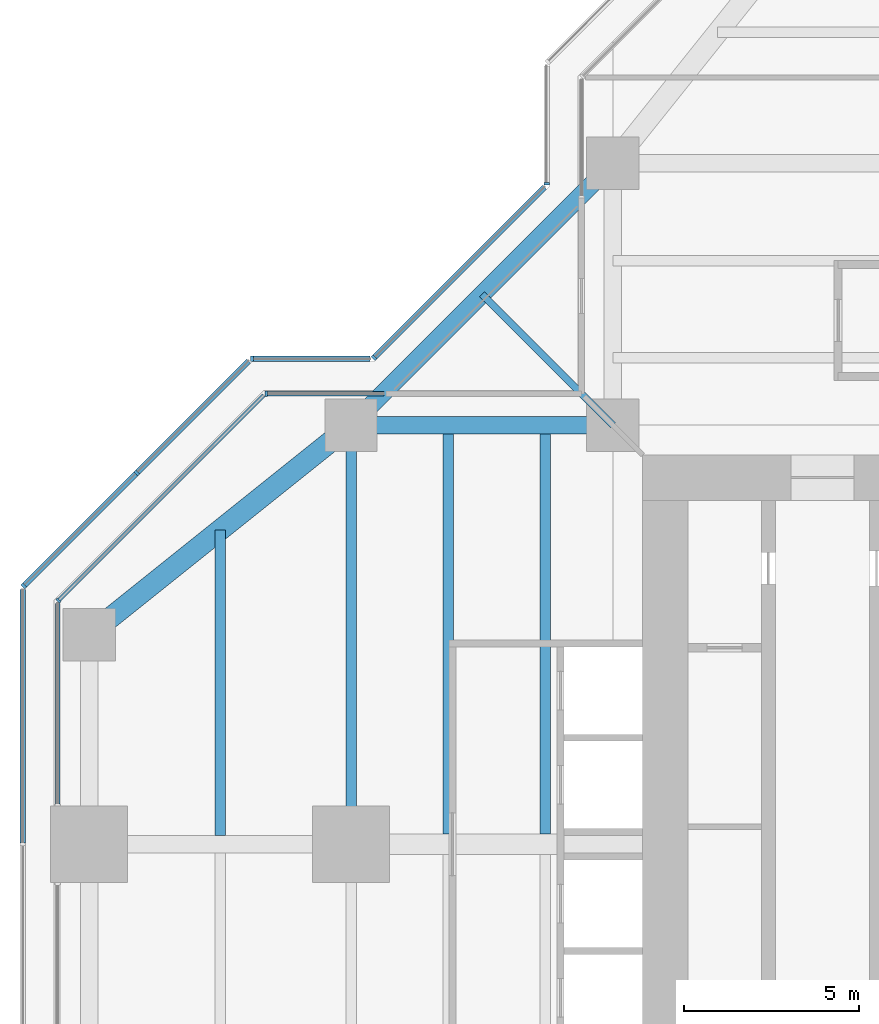
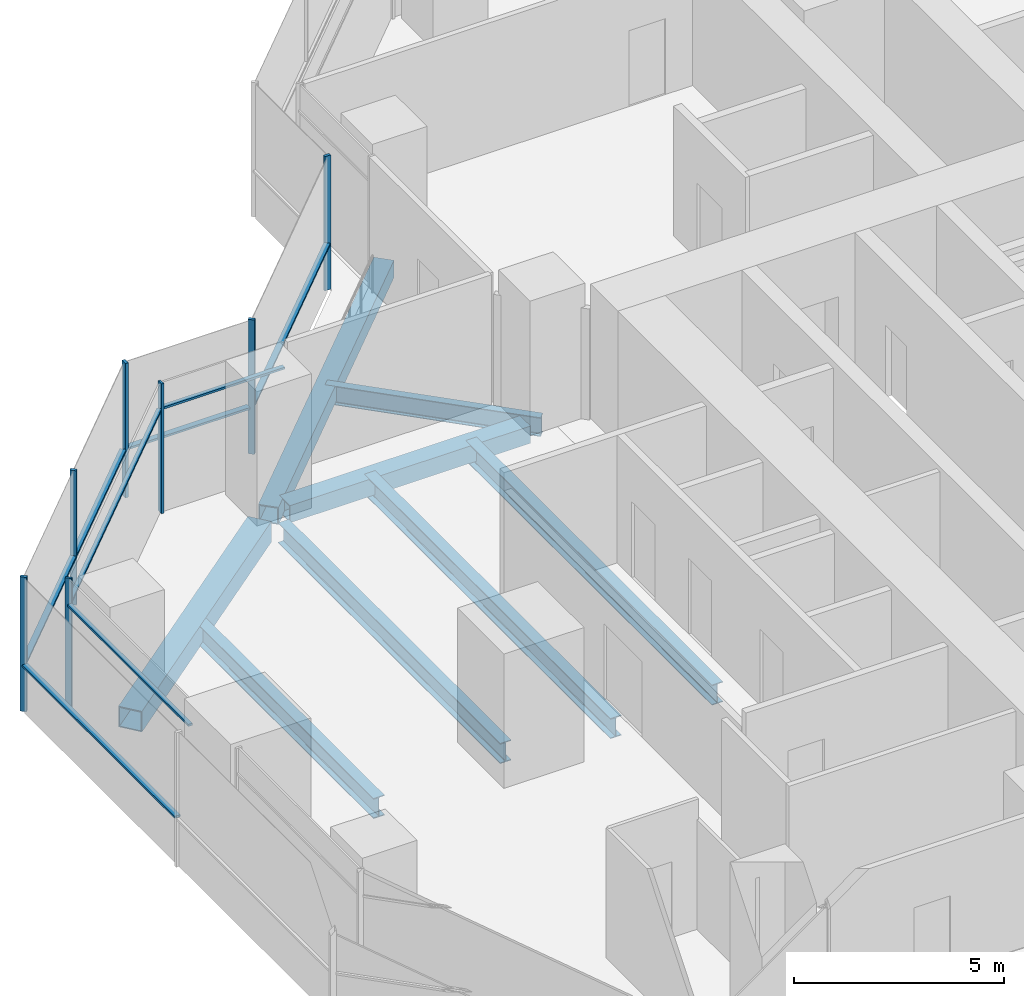
# One storey, part 6 of 17: 15 members, 8 beams, 8 elements without a shape of their own.
"""IFC4 building model written with IfcOpenShell, lengths in metres."""

from ifc_helpers import new_model, si_unit, direction, frame, origin, origin_2d, place, context, subcontext, project, spatial, rectangle, hollow_rectangle, i_section, extrude, material, material_profile, profile_set, type_object, element, aggregate, save


model = new_model("IFC4")

# Units and contexts
model_context = context("Model", 3, precision=1e-05, world=origin(), true_north=direction((0.0, 1.0)))
body_context = subcontext(model_context, "Body", "Model", "MODEL_VIEW")
ifc_project = project(units=[si_unit("LENGTHUNIT", "METRE"), si_unit("AREAUNIT", "SQUARE_METRE"), si_unit("VOLUMEUNIT", "CUBIC_METRE"), si_unit("PLANEANGLEUNIT", "RADIAN"), si_unit("MASSUNIT", "GRAM", prefix="KILO")], contexts=[model_context])

# Site, building, storey
site_placement = place(None, origin())
site = spatial("IfcSite", under=ifc_project, at=site_placement, CompositionType="ELEMENT")
building_placement = place(site_placement, origin())
building = spatial("IfcBuilding", under=site, at=building_placement, Name="Mizan Broadcast Tower", CompositionType="ELEMENT")
storey_placement = place(building_placement, frame((0.0, 0.0, 228.300048828125)))
storey = spatial("IfcBuildingStorey", under=building, at=storey_placement, Name="L53", CompositionType="ELEMENT", Elevation=228.300048828125)

# Beams
ifc_material_1 = material(Name="Steel S355", Category="steel")
ifc_material_profile_1 = material_profile(ifc_material_1, hollow_rectangle(XDim=0.5, YDim=0.5, WallThickness=0.030029296875, at=origin_2d()), Name="BOX 500x500x30")
ifc_profile_set_1 = profile_set([ifc_material_profile_1], Name="Steel S355")
beam_type_1 = type_object("IfcBeamType", Name="EDGE BEAM BOX 500x500x30", PredefinedType="SPANDREL", material=ifc_profile_set_1)
beam_1_placement = place(storey_placement, frame((-12.449951171875, 12.0, -0.380126953125), z_axis=(-1.0, 0.0, 0.0), x_axis=(0.0, -1.0, 0.0)))
element("IfcBeam", 1, at=beam_1_placement, inside=storey, type_object=beam_type_1, Name="Edge beam BOX 500x500x30 L53 west arm", PredefinedType="SPANDREL", context=body_context, shape_type="SweptSolid", body=[
    extrude(hollow_rectangle(XDim=0.5, YDim=0.5, WallThickness=0.030029296875, at=origin_2d()), origin(), (0.0, 0.0, 1.0), 6.60009765625),
])
beam_2_placement = place(storey_placement, frame((-12.0, 19.5, -0.380126953125), z_axis=(-0.707106781187, -0.707106781187, 0.0), x_axis=(0.707106781187, -0.707106781187, 0.0)))
element("IfcBeam", 2, at=beam_2_placement, inside=storey, type_object=beam_type_1, Name="Winter garden edge beam L53 N", PredefinedType="SPANDREL", context=body_context, shape_type="SweptSolid", body=[
    extrude(hollow_rectangle(XDim=0.5, YDim=0.5, WallThickness=0.030029296875, at=origin_2d()), origin(), (0.0, 0.0, 1.0), 10.606689453125),
])
ifc_material_2 = material(Name="Steel S355", Category="steel")
ifc_material_profile_2 = material_profile(ifc_material_2, hollow_rectangle(XDim=0.60009765625, YDim=0.60009765625, WallThickness=0.030029296875, at=origin_2d()), Name="BOX 600x600x30")
ifc_profile_set_2 = profile_set([ifc_material_profile_2], Name="Steel S355")
beam_type_2 = type_object("IfcBeamType", Name="EDGE BEAM BOX 600x600x30", PredefinedType="SPANDREL", material=ifc_profile_set_2)
beam_3_placement = place(storey_placement, frame((-19.949951171875, 11.639892578125, -0.429931640625), z_axis=(-0.780885717636, -0.624673911726, 0.0), x_axis=(0.624673911726, -0.780885717636, 0.0)))
element("IfcBeam", 3, at=beam_3_placement, inside=storey, type_object=beam_type_2, Name="Edge beam BOX 600x600x30 L53 west arm", PredefinedType="SPANDREL", context=body_context, shape_type="SweptSolid", body=[
    extrude(hollow_rectangle(XDim=0.60009765625, YDim=0.60009765625, WallThickness=0.030029296875, at=origin_2d()), origin(), (0.0, 0.0, 1.0), 8.4521484375),
])
ifc_material_3 = material(Name="Steel S355", Category="steel")
ifc_material_profile_3 = material_profile(ifc_material_3, i_section(OverallWidth=0.300048828125, OverallDepth=0.590087890625, WebThickness=0.012939453125, FlangeThickness=0.02490234375, FilletRadius=0.027099609375, at=origin_2d()), Name="HEA 600")
ifc_profile_set_3 = profile_set([ifc_material_profile_3], Name="Steel S355")
beam_type_3 = type_object("IfcBeamType", Name="GIRDER HEA 600", PredefinedType="BEAM", material=ifc_profile_set_3)
beam_4_placement = place(storey_placement, frame((-19.5, 11.280029296875, -0.425048828125), z_axis=(0.0, -1.0, 0.0), x_axis=(1.0, 0.0, 0.0)))
element("IfcBeam", 4, at=beam_4_placement, inside=storey, type_object=beam_type_3, Name="Girder HEA 600 L53 west arm", PredefinedType="BEAM", context=body_context, shape_type="SweptSolid", body=[
    extrude(i_section(OverallWidth=0.300048828125, OverallDepth=0.590087890625, WebThickness=0.012939453125, FlangeThickness=0.02490234375, FilletRadius=0.027099609375, at=origin_2d()), origin(), (0.0, 0.0, 1.0), 10.56005859375),
])

# Curtain wall, member
ifc_material_4 = material(Name="Aluminium framed glazing", Category="aluminium")
curtain_wall_type_1 = type_object("IfcCurtainWallType", Name="INNER SKIN HIGH ZONE", PredefinedType="USERDEFINED", material=ifc_material_4)
curtain_wall_1_placement = place(storey_placement, origin())
curtain_wall_1 = element("IfcCurtainWall", 5, at=curtain_wall_1_placement, inside=storey, type_object=curtain_wall_type_1, Name="Inner skin high zone L53 W side", ObjectType="INNER SKIN HIGH ZONE", PredefinedType="USERDEFINED")
ifc_material_5 = material(Name="Aluminium, pale anodised", Category="aluminium")
ifc_material_profile_4 = material_profile(ifc_material_5, rectangle(XDim=0.159912109375, YDim=0.06005859375, at=origin_2d()), Name="MULLION 160x60")
ifc_profile_set_4 = profile_set([ifc_material_profile_4], Name="Aluminium, pale anodised")
member_type_1 = type_object("IfcMemberType", Name="INNER SKIN MULLION 60x160", PredefinedType="MULLION", material=ifc_profile_set_4)
member_1_placement = place(storey_placement, frame((-21.928466796875, 12.89990234375, 0.0), z_axis=(0.0, 0.0, 1.0), x_axis=(0.0, -1.0, 0.0)))
member_1 = element("IfcMember", 6, at=member_1_placement, type_object=member_type_1, Name="Inner skin high zone L53 W side mullion 2", PredefinedType="MULLION", context=body_context, shape_type="SweptSolid", body=[
    extrude(rectangle(XDim=0.159912109375, YDim=0.06005859375, at=origin_2d()), origin(), (0.0, 0.0, 1.0), 3.77001953125),
])

curtain_wall_2_placement = place(storey_placement, origin())
curtain_wall_2 = element("IfcCurtainWall", 7, at=curtain_wall_2_placement, inside=storey, type_object=curtain_wall_type_1, Name="Inner skin high zone L53 W chamfer", ObjectType="INNER SKIN HIGH ZONE", PredefinedType="USERDEFINED")
member_2_placement = place(storey_placement, frame((-27.87890625, 6.979736328125, 0.0), z_axis=(0.0, 0.0, 1.0), x_axis=(0.707106781187, -0.707106781187, 0.0)))
member_2 = element("IfcMember", 8, at=member_2_placement, type_object=member_type_1, Name="Inner skin high zone L53 W chamfer mullion 2", PredefinedType="MULLION", context=body_context, shape_type="SweptSolid", body=[
    extrude(rectangle(XDim=0.159912109375, YDim=0.06005859375, at=origin_2d()), origin(), (0.0, 0.0, 1.0), 3.77001953125),
])

# Member
ifc_material_6 = material(Name="Aluminium, pale anodised", Category="aluminium")
ifc_material_profile_5 = material_profile(ifc_material_6, rectangle(XDim=0.1201171875, YDim=0.06005859375, at=origin_2d()), Name="TRANSOM 120x60")
ifc_profile_set_5 = profile_set([ifc_material_profile_5], Name="Aluminium, pale anodised")
member_type_2 = type_object("IfcMemberType", Name="INNER SKIN TRANSOM 60x120", PredefinedType="USERDEFINED", material=ifc_profile_set_5)
member_3_placement = place(storey_placement, frame((-18.56005859375, 12.89990234375, 3.030029296875), z_axis=(-1.0, 0.0, 0.0), x_axis=(0.0, -1.0, 0.0)))
member_3 = element("IfcMember", 9, at=member_3_placement, type_object=member_type_2, Name="Inner skin high zone L53 W side transom 1.1", ObjectType="TRANSOM", PredefinedType="USERDEFINED", context=body_context, shape_type="SweptSolid", body=[
    extrude(rectangle(XDim=0.1201171875, YDim=0.06005859375, at=origin_2d()), origin(), (0.0, 0.0, 1.0), 3.338623046875),
])

aggregate(curtain_wall_1, [member_1, member_3])

member_4_placement = place(storey_placement, frame((-22.0009765625, 12.857666015625, 3.030029296875), z_axis=(-0.707106781187, -0.707106781187, 0.0), x_axis=(0.707106781187, -0.707106781187, 0.0)))
member_4 = element("IfcMember", 10, at=member_4_placement, type_object=member_type_2, Name="Inner skin high zone L53 W chamfer transom 1.1", ObjectType="TRANSOM", PredefinedType="USERDEFINED", context=body_context, shape_type="SweptSolid", body=[
    extrude(rectangle(XDim=0.1201171875, YDim=0.06005859375, at=origin_2d()), origin(), (0.0, 0.0, 1.0), 8.28271484375),
])

aggregate(curtain_wall_2, [member_2, member_4])

# Curtain wall, member
curtain_wall_3_placement = place(storey_placement, origin())
curtain_wall_3 = element("IfcCurtainWall", 11, at=curtain_wall_3_placement, inside=storey, type_object=curtain_wall_type_1, Name="Inner skin high zone L53 W end", ObjectType="INNER SKIN HIGH ZONE", PredefinedType="USERDEFINED")
member_5_placement = place(storey_placement, frame((-27.89990234375, 6.898681640625, 3.030029296875), z_axis=(0.0, -1.0, 0.0), x_axis=(1.0, 0.0, 0.0)))
member_5 = element("IfcMember", 12, at=member_5_placement, type_object=member_type_2, Name="Inner skin high zone L53 W end transom 1.1", ObjectType="TRANSOM", PredefinedType="USERDEFINED", context=body_context, shape_type="SweptSolid", body=[
    extrude(rectangle(XDim=0.1201171875, YDim=0.06005859375, at=origin_2d()), origin(), (0.0, 0.0, 1.0), 5.73876953125),
])
aggregate(curtain_wall_3, [member_5])

ifc_material_7 = material(Name="Aluminium framed glazing", Category="aluminium")
curtain_wall_type_2 = type_object("IfcCurtainWallType", Name="OUTER SKIN", PredefinedType="USERDEFINED", material=ifc_material_7)
curtain_wall_4_placement = place(storey_placement, origin())
curtain_wall_4 = element("IfcCurtainWall", 13, at=curtain_wall_4_placement, inside=storey, type_object=curtain_wall_type_2, Name="Outer skin L53 N side", ObjectType="OUTER SKIN", PredefinedType="USERDEFINED")
ifc_material_8 = material(Name="Aluminium, pale anodised", Category="aluminium")
ifc_material_profile_6 = material_profile(ifc_material_8, rectangle(XDim=0.159912109375, YDim=0.080078125, at=origin_2d()), Name="MULLION 160x80")
ifc_profile_set_6 = profile_set([ifc_material_profile_6], Name="Aluminium, pale anodised")
member_type_3 = type_object("IfcMemberType", Name="OUTER SKIN MULLION 80x160", PredefinedType="MULLION", material=ifc_profile_set_6)
member_6_placement = place(storey_placement, frame((-13.89990234375, 18.912841796875, 0.0), z_axis=(0.0, 0.0, 1.0), x_axis=(1.0, 0.0, 0.0)))
member_6 = element("IfcMember", 14, at=member_6_placement, type_object=member_type_3, Name="Outer skin L53 N side mullion 2", PredefinedType="MULLION", context=body_context, shape_type="SweptSolid", body=[
    extrude(rectangle(XDim=0.159912109375, YDim=0.080078125, at=origin_2d()), origin(), (0.0, 0.0, 1.0), 3.89990234375),
])
aggregate(curtain_wall_4, [member_6])

curtain_wall_5_placement = place(storey_placement, origin())
curtain_wall_5 = element("IfcCurtainWall", 15, at=curtain_wall_5_placement, inside=storey, type_object=curtain_wall_type_2, Name="Outer skin L53 W chamfer", ObjectType="OUTER SKIN", PredefinedType="USERDEFINED")
member_7_placement = place(storey_placement, frame((-18.844482421875, 13.92822265625, 0.0), z_axis=(0.0, 0.0, 1.0), x_axis=(0.707106781187, -0.707106781187, 0.0)))
member_7 = element("IfcMember", 16, at=member_7_placement, type_object=member_type_3, Name="Outer skin L53 W chamfer mullion 2", PredefinedType="MULLION", context=body_context, shape_type="SweptSolid", body=[
    extrude(rectangle(XDim=0.159912109375, YDim=0.080078125, at=origin_2d()), origin(), (0.0, 0.0, 1.0), 3.89990234375),
])

curtain_wall_6_placement = place(storey_placement, origin())
curtain_wall_6 = element("IfcCurtainWall", 17, at=curtain_wall_6_placement, inside=storey, type_object=curtain_wall_type_2, Name="Outer skin L53 W side", ObjectType="OUTER SKIN", PredefinedType="USERDEFINED")
member_8_placement = place(storey_placement, frame((-22.332763671875, 13.89990234375, 0.0), z_axis=(0.0, 0.0, 1.0), x_axis=(0.0, -1.0, 0.0)))
member_8 = element("IfcMember", 18, at=member_8_placement, type_object=member_type_3, Name="Outer skin L53 W side mullion 2", PredefinedType="MULLION", context=body_context, shape_type="SweptSolid", body=[
    extrude(rectangle(XDim=0.159912109375, YDim=0.080078125, at=origin_2d()), origin(), (0.0, 0.0, 1.0), 3.89990234375),
])

# Curtain wall, members
curtain_wall_7_placement = place(storey_placement, origin())
curtain_wall_7 = element("IfcCurtainWall", 19, at=curtain_wall_7_placement, inside=storey, type_object=curtain_wall_type_2, Name="Outer skin L53 W chamfer", ObjectType="OUTER SKIN", PredefinedType="USERDEFINED")
member_9_placement = place(storey_placement, frame((-25.636474609375, 10.636474609375, 0.0), z_axis=(0.0, 0.0, 1.0), x_axis=(0.707106781187, -0.707106781187, 0.0)))
member_9 = element("IfcMember", 20, at=member_9_placement, type_object=member_type_3, Name="Outer skin L53 W chamfer mullion 2", PredefinedType="MULLION", context=body_context, shape_type="SweptSolid", body=[
    extrude(rectangle(XDim=0.159912109375, YDim=0.080078125, at=origin_2d()), origin(), (0.0, 0.0, 1.0), 3.89990234375),
])
member_10_placement = place(storey_placement, frame((-28.871826171875, 7.401123046875, 0.0), z_axis=(0.0, 0.0, 1.0), x_axis=(0.707106781187, -0.707106781187, 0.0)))
member_10 = element("IfcMember", 21, at=member_10_placement, type_object=member_type_3, Name="Outer skin L53 W chamfer mullion 3", PredefinedType="MULLION", context=body_context, shape_type="SweptSolid", body=[
    extrude(rectangle(XDim=0.159912109375, YDim=0.080078125, at=origin_2d()), origin(), (0.0, 0.0, 1.0), 3.89990234375),
])

# Member
ifc_material_9 = material(Name="Aluminium, pale anodised", Category="aluminium")
ifc_material_profile_7 = material_profile(ifc_material_9, rectangle(XDim=0.159912109375, YDim=0.06005859375, at=origin_2d()), Name="TRANSOM 160x60")
ifc_profile_set_7 = profile_set([ifc_material_profile_7], Name="Aluminium, pale anodised")
member_type_4 = type_object("IfcMemberType", Name="OUTER SKIN TRANSOM 60x160", PredefinedType="USERDEFINED", material=ifc_profile_set_7)
member_11_placement = place(storey_placement, frame((-13.95654296875, 18.816162109375, 1.39990234375), z_axis=(-0.707106781187, -0.707106781187, 0.0), x_axis=(0.707106781187, -0.707106781187, 0.0)))
member_11 = element("IfcMember", 22, at=member_11_placement, type_object=member_type_4, Name="Outer skin L53 W chamfer transom 1.1", ObjectType="TRANSOM", PredefinedType="USERDEFINED", context=body_context, shape_type="SweptSolid", body=[
    extrude(rectangle(XDim=0.159912109375, YDim=0.06005859375, at=origin_2d()), origin(), (0.0, 0.0, 1.0), 6.87255859375),
])

aggregate(curtain_wall_5, [member_7, member_11])

member_12_placement = place(storey_placement, frame((-18.952880859375, 13.89990234375, 1.39990234375), z_axis=(-1.0, 0.0, 0.0), x_axis=(0.0, -1.0, 0.0)))
member_12 = element("IfcMember", 23, at=member_12_placement, type_object=member_type_4, Name="Outer skin L53 W side transom 1.1", ObjectType="TRANSOM", PredefinedType="USERDEFINED", context=body_context, shape_type="SweptSolid", body=[
    extrude(rectangle(XDim=0.159912109375, YDim=0.06005859375, at=origin_2d()), origin(), (0.0, 0.0, 1.0), 3.33984375),
])

aggregate(curtain_wall_6, [member_8, member_12])

member_13_placement = place(storey_placement, frame((-22.429443359375, 13.843505859375, 1.39990234375), z_axis=(-0.707106781187, -0.707106781187, 0.0), x_axis=(0.707106781187, -0.707106781187, 0.0)))
member_13 = element("IfcMember", 24, at=member_13_placement, type_object=member_type_4, Name="Outer skin L53 W chamfer transom 1.1", ObjectType="TRANSOM", PredefinedType="USERDEFINED", context=body_context, shape_type="SweptSolid", body=[
    extrude(rectangle(XDim=0.159912109375, YDim=0.06005859375, at=origin_2d()), origin(), (0.0, 0.0, 1.0), 4.495361328125),
])

member_14_placement = place(storey_placement, frame((-25.664794921875, 10.608154296875, 1.39990234375), z_axis=(-0.707106781187, -0.707106781187, 0.0), x_axis=(0.707106781187, -0.707106781187, 0.0)))
member_14 = element("IfcMember", 25, at=member_14_placement, type_object=member_type_4, Name="Outer skin L53 W chamfer transom 2.1", ObjectType="TRANSOM", PredefinedType="USERDEFINED", context=body_context, shape_type="SweptSolid", body=[
    extrude(rectangle(XDim=0.159912109375, YDim=0.06005859375, at=origin_2d()), origin(), (0.0, 0.0, 1.0), 4.495361328125),
])

aggregate(curtain_wall_7, [member_9, member_10, member_13, member_14])

# Curtain wall, member
curtain_wall_8_placement = place(storey_placement, origin())
curtain_wall_8 = element("IfcCurtainWall", 26, at=curtain_wall_8_placement, inside=storey, type_object=curtain_wall_type_2, Name="Outer skin L53 W end", ObjectType="OUTER SKIN", PredefinedType="USERDEFINED")
member_15_placement = place(storey_placement, frame((-28.89990234375, 7.292724609375, 1.39990234375), z_axis=(0.0, -1.0, 0.0), x_axis=(1.0, 0.0, 0.0)))
member_15 = element("IfcMember", 27, at=member_15_placement, type_object=member_type_4, Name="Outer skin L53 W end transom 1.1", ObjectType="TRANSOM", PredefinedType="USERDEFINED", context=body_context, shape_type="SweptSolid", body=[
    extrude(rectangle(XDim=0.159912109375, YDim=0.06005859375, at=origin_2d()), origin(), (0.0, 0.0, 1.0), 7.252685546875),
])
aggregate(curtain_wall_8, [member_15])

# Beams
ifc_material_10 = material(Name="Steel S355", Category="steel")
ifc_material_profile_8 = material_profile(ifc_material_10, i_section(OverallWidth=0.300048828125, OverallDepth=0.590087890625, WebThickness=0.012939453125, FlangeThickness=0.02490234375, FilletRadius=0.027099609375, at=origin_2d()), Name="HEA 600")
ifc_profile_set_8 = profile_set([ifc_material_profile_8], Name="Steel S355")
beam_type_4 = type_object("IfcBeamType", Name="SECONDARY BEAM HEA 600", PredefinedType="JOIST", material=ifc_profile_set_8)
for number, where, z_axis, x_axis, name in (
    (28, (-13.933349609375, 12.0, -0.425048828125), (0.0, -1.0, 0.0), (1.0, 0.0, 0.0), "Secondary beam HEA 600 L53 west arm"),
    (29, (-16.716552734375, 12.0, -0.425048828125), (0.0, -1.0, 0.0), (1.0, 0.0, 0.0), "Secondary beam HEA 600 L53 west arm"),
):
    element("IfcBeam", number, at=place(storey_placement, frame(where, z_axis=z_axis, x_axis=x_axis)), inside=storey, type_object=beam_type_4, Name=name, PredefinedType="JOIST", context=body_context, shape_type="SweptSolid", body=[
        extrude(i_section(OverallWidth=0.300048828125, OverallDepth=0.590087890625, WebThickness=0.012939453125, FlangeThickness=0.02490234375, FilletRadius=0.027099609375, at=origin_2d()), origin(), (0.0, 0.0, 1.0), 11.699951171875),
    ])
beam_5_placement = place(storey_placement, frame((-23.25, 9.0, -0.425048828125), z_axis=(0.0, -1.0, 0.0), x_axis=(1.0, 0.0, 0.0)))
element("IfcBeam", 30, at=beam_5_placement, inside=storey, type_object=beam_type_4, Name="Secondary beam HEA 600 L53 west arm", PredefinedType="JOIST", context=body_context, shape_type="SweptSolid", body=[
    extrude(i_section(OverallWidth=0.300048828125, OverallDepth=0.590087890625, WebThickness=0.012939453125, FlangeThickness=0.02490234375, FilletRadius=0.027099609375, at=origin_2d()), origin(), (0.0, 0.0, 1.0), 8.75),
])
ifc_material_11 = material(Name="Steel S355", Category="steel")
ifc_material_profile_9 = material_profile(ifc_material_11, i_section(OverallWidth=0.2099609375, OverallDepth=0.550048828125, WebThickness=0.010986328125, FlangeThickness=0.01708984375, FilletRadius=0.02392578125, at=origin_2d()), Name="IPE 550")
ifc_profile_set_9 = profile_set([ifc_material_profile_9], Name="Steel S355")
beam_type_5 = type_object("IfcBeamType", Name="SECONDARY BEAM IPE 550", PredefinedType="JOIST", material=ifc_profile_set_9)
beam_6_placement = place(storey_placement, frame((-12.0, 12.0, -0.405029296875), z_axis=(-0.707106781187, 0.707106781187, 0.0), x_axis=(-0.707106781187, -0.707106781187, 0.0)))
element("IfcBeam", 31, at=beam_6_placement, inside=storey, type_object=beam_type_5, Name="Winter garden beam L53 N", PredefinedType="JOIST", context=body_context, shape_type="SweptSolid", body=[
    extrude(i_section(OverallWidth=0.2099609375, OverallDepth=0.550048828125, WebThickness=0.010986328125, FlangeThickness=0.01708984375, FilletRadius=0.02392578125, at=origin_2d()), origin(), (0.0, 0.0, 1.0), 5.30322265625),
])

save(model, "model.ifc")
